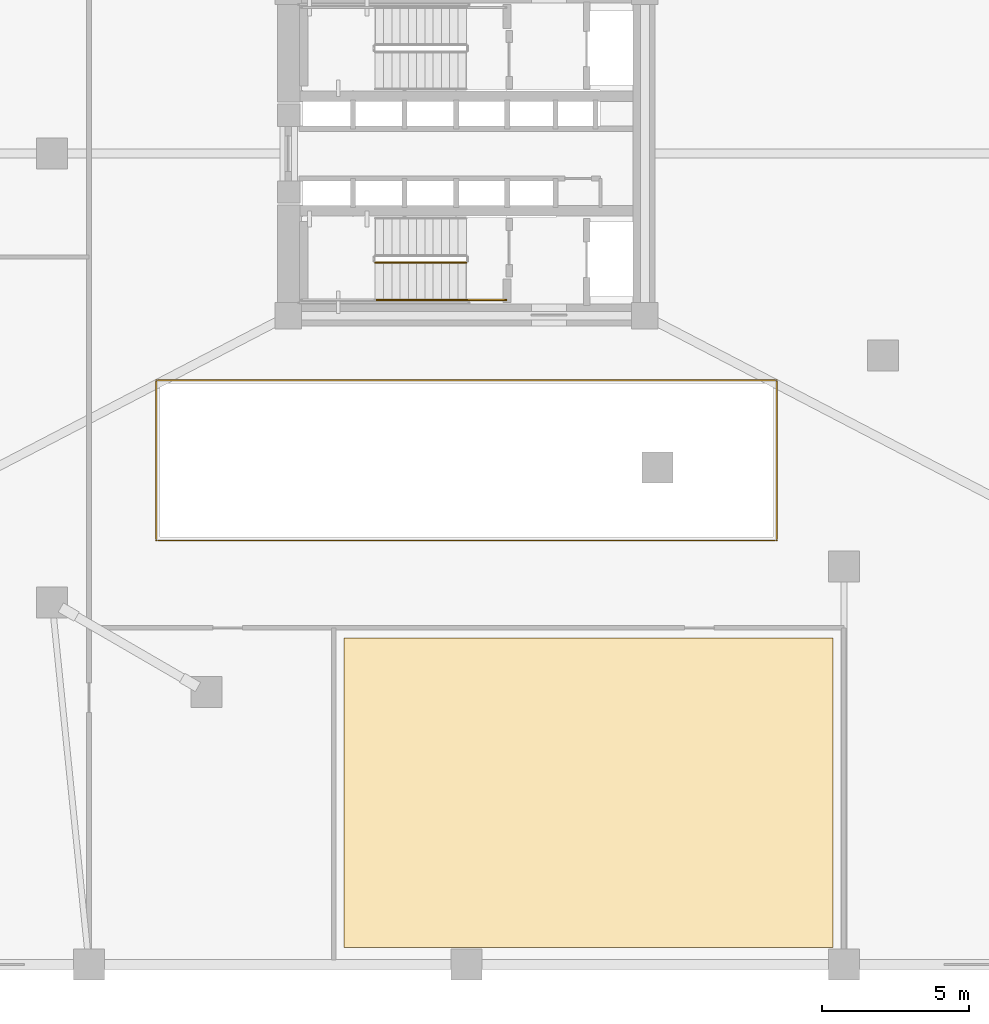
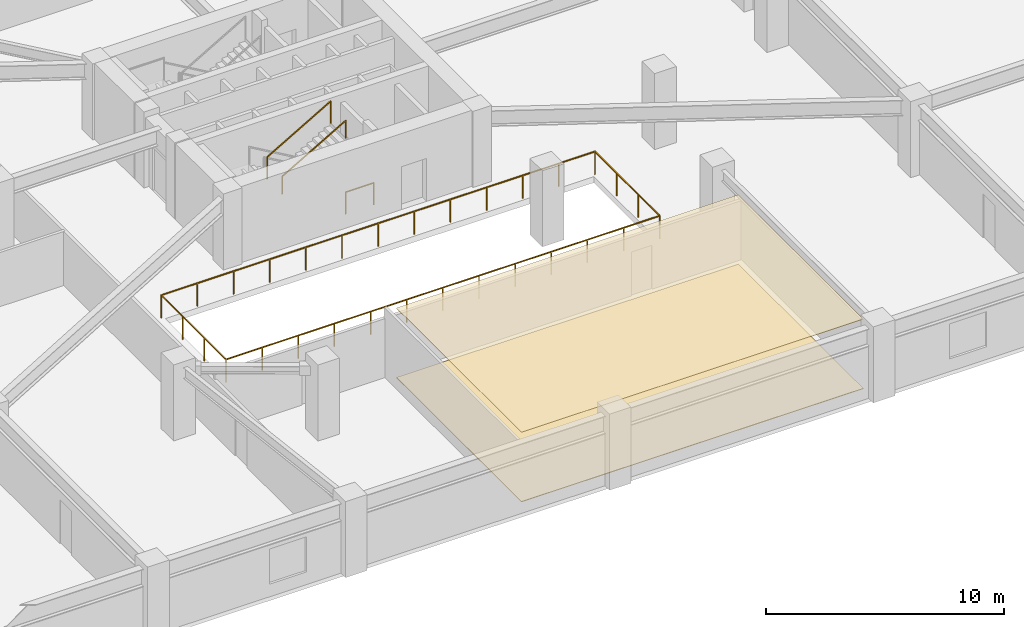
# One storey, part 9 of 15: 4 railings, 2 coverings.
"""IFC4 building model written with IfcOpenShell, lengths in metres."""

from ifc_helpers import new_model, si_unit, direction, frame, origin, origin_2d, place, context, subcontext, project, spatial, polyline, rectangle, outline, extrude, material, layer, layer_set, type_object, element, save


model = new_model("IFC4")

# Units and contexts
model_context = context("Model", 3, precision=1e-05, world=origin(), true_north=direction((0.0, 1.0)))
body_context = subcontext(model_context, "Body", "Model", "MODEL_VIEW")
ifc_project = project(units=[si_unit("LENGTHUNIT", "METRE"), si_unit("AREAUNIT", "SQUARE_METRE"), si_unit("VOLUMEUNIT", "CUBIC_METRE"), si_unit("PLANEANGLEUNIT", "RADIAN"), si_unit("MASSUNIT", "GRAM", prefix="KILO")], contexts=[model_context])

# Site, building, storey
site_placement = place(None, origin())
site = spatial("IfcSite", under=ifc_project, at=site_placement, CompositionType="ELEMENT")
building_placement = place(site_placement, origin())
building = spatial("IfcBuilding", under=site, at=building_placement, Name="Yunling Apex Tower", CompositionType="ELEMENT")
storey_placement = place(building_placement, frame((0.0, 0.0, 12.300048828125)))
storey = spatial("IfcBuildingStorey", under=building, at=storey_placement, Name="L04", CompositionType="ELEMENT", Elevation=12.300048828125)

# Coverings
ifc_material_1 = material(Name="Acoustic mineral fibre ceiling")
ifc_layer_1 = layer(ifc_material_1, 0.02490234375)
ifc_layer_set_1 = layer_set([ifc_layer_1], Name="Acoustic mineral fibre ceiling")
covering_type_1 = type_object("IfcCoveringType", Name="CV-CLG-1", PredefinedType="CEILING", material=ifc_layer_set_1)
covering_1_placement = place(storey_placement, frame((0.0, 0.0, 3.56494140625)))
element("IfcCovering", 1, at=covering_1_placement, inside=storey, type_object=covering_type_1, Name="CV-CL-SP-L04-S2", PredefinedType="CEILING", context=body_context, shape_type="SweptSolid", body=[
    extrude(outline(polyline([(12.429931640625, -26.929931640625), (-4.159912109375, -26.929931640625), (-4.159912109375, -16.419921875), (12.429931640625, -16.419921875), (12.429931640625, -26.929931640625)])), origin(), (0.0, 0.0, 1.0), 0.02490234375),
])
ifc_material_2 = material(Name="Polished granite stone", Category="masonry")
ifc_layer_2 = layer(ifc_material_2, 0.030029296875)
ifc_layer_set_2 = layer_set([ifc_layer_2], Name="Polished granite stone")
covering_type_2 = type_object("IfcCoveringType", Name="CV-FLR-1", PredefinedType="FLOORING", material=ifc_layer_set_2)
covering_2_placement = place(storey_placement, origin())
element("IfcCovering", 2, at=covering_2_placement, inside=storey, type_object=covering_type_2, Name="CV-FL-SP-L04-S2", PredefinedType="FLOORING", context=body_context, shape_type="SweptSolid", body=[
    extrude(outline(polyline([(12.429931640625, -26.929931640625), (-4.159912109375, -26.929931640625), (-4.159912109375, -16.419921875), (12.429931640625, -16.419921875), (12.429931640625, -26.929931640625)])), origin(), (0.0, 0.0, 1.0), 0.030029296875),
])

# Railings
ifc_material_3 = material(Name="Bronze anodised aluminium", Category="aluminium")
railing_type_1 = type_object("IfcRailingType", Name="RL-BAL-1200", PredefinedType="BALUSTRADE", material=ifc_material_3)
railing_1_placement = place(storey_placement, frame((10.52001953125, -13.1201171875, 0.0)))
element("IfcRailing", 3, at=railing_1_placement, inside=storey, type_object=railing_type_1, Name="RL-PATR-L04", PredefinedType="BALUSTRADE", context=body_context, shape_type="SweptSolid", body=[
    extrude(rectangle(XDim=0.0439453125, YDim=0.0439453125, at=origin_2d()), origin(), (0.0, 0.0, 1.0), 1.199951171875),
    extrude(rectangle(XDim=0.0439453125, YDim=0.0439453125, at=origin_2d()), frame((0.0, 5.440185546875, 0.0)), (0.0, 0.0, 1.0), 1.199951171875),
    extrude(rectangle(XDim=0.050048828125, YDim=0.050048828125, at=origin_2d()), frame((0.0, 0.038330078125, 1.1748046875), z_axis=(0.0, 1.0, 0.0), x_axis=(-1.0, 0.0, 0.0)), (0.0, 0.0, 1.0), 5.363525390625),
    extrude(rectangle(XDim=0.0439453125, YDim=0.0439453125, at=origin_2d()), frame((0.0, 1.8134765625, 0.0)), (0.0, 0.0, 1.0), 1.14599609375),
    extrude(rectangle(XDim=0.0439453125, YDim=0.0439453125, at=origin_2d()), frame((0.0, 3.626708984375, 0.0)), (0.0, 0.0, 1.0), 1.14599609375),
    extrude(rectangle(XDim=0.0439453125, YDim=0.0439453125, at=origin_2d()), frame((-21.0400390625, 5.440185546875, 0.0)), (0.0, 0.0, 1.0), 1.199951171875),
    extrude(rectangle(XDim=0.050048828125, YDim=0.050048828125, at=origin_2d()), frame((-0.038330078125, 5.440185546875, 1.1748046875), z_axis=(-1.0, 0.0, 0.0), x_axis=(0.0, -1.0, 0.0)), (0.0, 0.0, 1.0), 20.96337890625),
    extrude(rectangle(XDim=0.0439453125, YDim=0.0439453125, at=origin_2d()), frame((-1.75341796875, 5.440185546875, 0.0)), (0.0, 0.0, 1.0), 1.14599609375),
    extrude(rectangle(XDim=0.0439453125, YDim=0.0439453125, at=origin_2d()), frame((-3.506591796875, 5.440185546875, 0.0)), (0.0, 0.0, 1.0), 1.14599609375),
    extrude(rectangle(XDim=0.0439453125, YDim=0.0439453125, at=origin_2d()), frame((-5.260009765625, 5.440185546875, 0.0)), (0.0, 0.0, 1.0), 1.14599609375),
    extrude(rectangle(XDim=0.0439453125, YDim=0.0439453125, at=origin_2d()), frame((-7.013427734375, 5.440185546875, 0.0)), (0.0, 0.0, 1.0), 1.14599609375),
    extrude(rectangle(XDim=0.0439453125, YDim=0.0439453125, at=origin_2d()), frame((-8.7666015625, 5.440185546875, 0.0)), (0.0, 0.0, 1.0), 1.14599609375),
    extrude(rectangle(XDim=0.0439453125, YDim=0.0439453125, at=origin_2d()), frame((-10.52001953125, 5.440185546875, 0.0)), (0.0, 0.0, 1.0), 1.14599609375),
    extrude(rectangle(XDim=0.0439453125, YDim=0.0439453125, at=origin_2d()), frame((-12.2734375, 5.440185546875, 0.0)), (0.0, 0.0, 1.0), 1.14599609375),
    extrude(rectangle(XDim=0.0439453125, YDim=0.0439453125, at=origin_2d()), frame((-14.026611328125, 5.440185546875, 0.0)), (0.0, 0.0, 1.0), 1.14599609375),
    extrude(rectangle(XDim=0.0439453125, YDim=0.0439453125, at=origin_2d()), frame((-15.780029296875, 5.440185546875, 0.0)), (0.0, 0.0, 1.0), 1.14599609375),
    extrude(rectangle(XDim=0.0439453125, YDim=0.0439453125, at=origin_2d()), frame((-17.533447265625, 5.440185546875, 0.0)), (0.0, 0.0, 1.0), 1.14599609375),
    extrude(rectangle(XDim=0.0439453125, YDim=0.0439453125, at=origin_2d()), frame((-19.28662109375, 5.440185546875, 0.0)), (0.0, 0.0, 1.0), 1.14599609375),
    extrude(rectangle(XDim=0.0439453125, YDim=0.0439453125, at=origin_2d()), frame((-21.0400390625, 0.0, 0.0)), (0.0, 0.0, 1.0), 1.199951171875),
    extrude(rectangle(XDim=0.050048828125, YDim=0.050048828125, at=origin_2d()), frame((-21.0400390625, 5.40185546875, 1.1748046875), z_axis=(0.0, -1.0, 0.0), x_axis=(1.0, 0.0, 0.0)), (0.0, 0.0, 1.0), 5.363525390625),
    extrude(rectangle(XDim=0.0439453125, YDim=0.0439453125, at=origin_2d()), frame((-21.0400390625, 3.626708984375, 0.0)), (0.0, 0.0, 1.0), 1.14599609375),
    extrude(rectangle(XDim=0.0439453125, YDim=0.0439453125, at=origin_2d()), frame((-21.0400390625, 1.8134765625, 0.0)), (0.0, 0.0, 1.0), 1.14599609375),
    extrude(rectangle(XDim=0.050048828125, YDim=0.050048828125, at=origin_2d()), frame((-21.001708984375, 0.0, 1.1748046875), z_axis=(1.0, 0.0, 0.0), x_axis=(0.0, 1.0, 0.0)), (0.0, 0.0, 1.0), 20.96337890625),
    extrude(rectangle(XDim=0.0439453125, YDim=0.0439453125, at=origin_2d()), frame((-19.28662109375, 0.0, 0.0)), (0.0, 0.0, 1.0), 1.14599609375),
    extrude(rectangle(XDim=0.0439453125, YDim=0.0439453125, at=origin_2d()), frame((-17.533447265625, 0.0, 0.0)), (0.0, 0.0, 1.0), 1.14599609375),
    extrude(rectangle(XDim=0.0439453125, YDim=0.0439453125, at=origin_2d()), frame((-15.780029296875, 0.0, 0.0)), (0.0, 0.0, 1.0), 1.14599609375),
    extrude(rectangle(XDim=0.0439453125, YDim=0.0439453125, at=origin_2d()), frame((-14.026611328125, 0.0, 0.0)), (0.0, 0.0, 1.0), 1.14599609375),
    extrude(rectangle(XDim=0.0439453125, YDim=0.0439453125, at=origin_2d()), frame((-12.2734375, 0.0, 0.0)), (0.0, 0.0, 1.0), 1.14599609375),
    extrude(rectangle(XDim=0.0439453125, YDim=0.0439453125, at=origin_2d()), frame((-10.52001953125, 0.0, 0.0)), (0.0, 0.0, 1.0), 1.14599609375),
    extrude(rectangle(XDim=0.0439453125, YDim=0.0439453125, at=origin_2d()), frame((-8.7666015625, 0.0, 0.0)), (0.0, 0.0, 1.0), 1.14599609375),
    extrude(rectangle(XDim=0.0439453125, YDim=0.0439453125, at=origin_2d()), frame((-7.013427734375, 0.0, 0.0)), (0.0, 0.0, 1.0), 1.14599609375),
    extrude(rectangle(XDim=0.0439453125, YDim=0.0439453125, at=origin_2d()), frame((-5.260009765625, 0.0, 0.0)), (0.0, 0.0, 1.0), 1.14599609375),
    extrude(rectangle(XDim=0.0439453125, YDim=0.0439453125, at=origin_2d()), frame((-3.506591796875, 0.0, 0.0)), (0.0, 0.0, 1.0), 1.14599609375),
    extrude(rectangle(XDim=0.0439453125, YDim=0.0439453125, at=origin_2d()), frame((-1.75341796875, 0.0, 0.0)), (0.0, 0.0, 1.0), 1.14599609375),
])
ifc_material_4 = material(Name="Steel Q355B", Category="steel")
railing_type_2 = type_object("IfcRailingType", Name="RL-GRD-1150", PredefinedType="GUARDRAIL", material=ifc_material_4)
railing_2_placement = place(storey_placement, frame((-3.090087890625, -3.699951171875, 2.112548828125)))
element("IfcRailing", 4, at=railing_2_placement, inside=storey, type_object=railing_type_2, Name="L04 ST-2 stair guard 4", PredefinedType="GUARDRAIL", context=body_context, shape_type="SweptSolid", body=[
    extrude(rectangle(XDim=0.0439453125, YDim=0.0439453125, at=origin_2d()), origin(), (0.0, 0.0, 1.0), 1.14990234375),
    extrude(rectangle(XDim=0.0439453125, YDim=0.0439453125, at=origin_2d()), frame((3.080078125, 0.0, 1.787353515625)), (0.0, 0.0, 1.0), 1.14990234375),
    extrude(rectangle(XDim=0.050048828125, YDim=0.050048828125, at=origin_2d()), frame((0.033203125, 0.0, 1.14404296875), z_axis=(0.864920483161, 0.0, 0.501908913857), x_axis=(0.0, 1.0, 0.0)), (0.0, 0.0, 1.0), 3.484375),
])
railing_3_placement = place(storey_placement, frame((1.35009765625, -4.9599609375, 0.0)))
element("IfcRailing", 5, at=railing_3_placement, inside=storey, type_object=railing_type_2, Name="L04 ST-2 stair guard 6", PredefinedType="GUARDRAIL", context=body_context, shape_type="SweptSolid", body=[
    extrude(rectangle(XDim=0.0439453125, YDim=0.0439453125, at=origin_2d()), origin(), (0.0, 0.0, 1.0), 1.14990234375),
    extrude(rectangle(XDim=0.0439453125, YDim=0.0439453125, at=origin_2d()), frame((-1.360107421875, 0.0, 0.0)), (0.0, 0.0, 1.0), 1.14990234375),
    extrude(rectangle(XDim=0.050048828125, YDim=0.050048828125, at=origin_2d()), frame((-0.038330078125, 0.0, 1.125), z_axis=(-1.0, 0.0, 0.0), x_axis=(0.0, -1.0, 0.0)), (0.0, 0.0, 1.0), 1.283447265625),
])
ifc_material_5 = material(Name="Silver anodised aluminium", Category="aluminium")
railing_type_3 = type_object("IfcRailingType", Name="RL-HND-900", PredefinedType="HANDRAIL", material=ifc_material_5)
railing_4_placement = place(storey_placement, frame((-3.090087890625, -4.9599609375, 2.112548828125)))
element("IfcRailing", 6, at=railing_4_placement, inside=storey, type_object=railing_type_3, Name="L04 ST-2 stair handrail 2", PredefinedType="HANDRAIL", context=body_context, shape_type="SweptSolid", body=[
    extrude(rectangle(XDim=0.0439453125, YDim=0.0439453125, at=origin_2d()), origin(), (0.0, 0.0, 1.0), 0.919921875),
    extrude(rectangle(XDim=0.0439453125, YDim=0.0439453125, at=origin_2d()), frame((3.080078125, 0.0, 1.787353515625)), (0.0, 0.0, 1.0), 0.919921875),
    extrude(rectangle(XDim=0.050048828125, YDim=0.050048828125, at=origin_2d()), frame((0.033203125, 0.0, 0.9140625), z_axis=(0.864920483161, 0.0, 0.501908913857), x_axis=(0.0, 1.0, 0.0)), (0.0, 0.0, 1.0), 3.484375),
])

save(model, "model.ifc")
